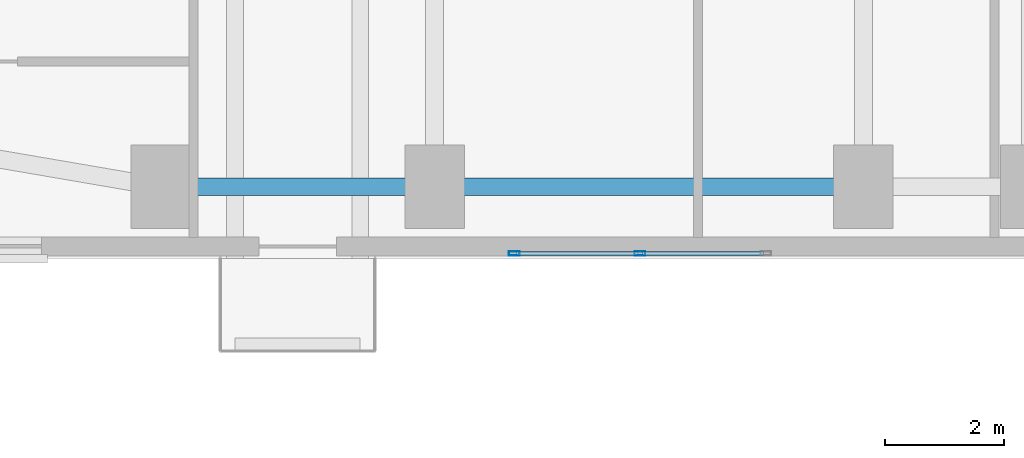
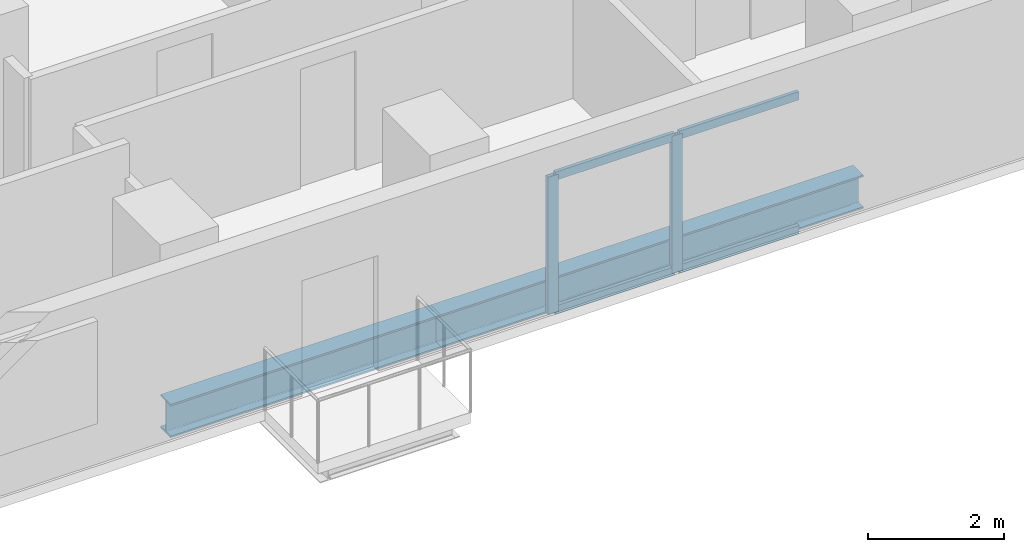
# One storey, part 4 of 14: 6 members, 2 beams, 1 element without a shape of its own.
"""IFC4 building model written with IfcOpenShell, lengths in metres."""

from ifc_helpers import new_model, si_unit, direction, frame, origin, origin_2d, place, context, subcontext, project, spatial, hollow_rectangle, i_section, extrude, material, material_profile, profile_set, type_object, element, aggregate, save


model = new_model("IFC4")

# Units and contexts
model_context = context("Model", 3, precision=1e-05, world=origin(), true_north=direction((0.0, 1.0)))
body_context = subcontext(model_context, "Body", "Model", "MODEL_VIEW")
ifc_project = project(units=[si_unit("LENGTHUNIT", "METRE"), si_unit("AREAUNIT", "SQUARE_METRE"), si_unit("VOLUMEUNIT", "CUBIC_METRE"), si_unit("PLANEANGLEUNIT", "RADIAN"), si_unit("MASSUNIT", "GRAM", prefix="KILO")], contexts=[model_context])

# Site, building, storey
site_placement = place(None, origin())
site = spatial("IfcSite", under=ifc_project, at=site_placement, CompositionType="ELEMENT")
building_placement = place(site_placement, origin())
building = spatial("IfcBuilding", under=site, at=building_placement, Name="Kuzgunbayir Cultural Tower", CompositionType="ELEMENT")
storey_placement = place(building_placement, frame((0.0, 0.0, 62.800048828125)))
storey = spatial("IfcBuildingStorey", under=building, at=storey_placement, Name="L17", CompositionType="ELEMENT", Elevation=62.800048828125)

# Beams
ifc_material_1 = material(Name="Steel S355J2", Category="steel")
ifc_material_profile_1 = material_profile(ifc_material_1, i_section(OverallWidth=0.300048828125, OverallDepth=0.60009765625, WebThickness=0.015380859375, FlangeThickness=0.030029296875, FilletRadius=0.027099609375, at=origin_2d()), Name="HEB 600")
ifc_profile_set_1 = profile_set([ifc_material_profile_1], Name="Steel S355J2")
beam_type = type_object("IfcBeamType", Name="BM-EXT-HEB600", PredefinedType="BEAM", material=ifc_profile_set_1)
beam_1_placement = place(storey_placement, frame((26.60009765625, 27.60009765625, -0.47998046875), z_axis=(1.0, 0.0, 0.0), x_axis=(0.0, 1.0, 0.0)))
element("IfcBeam", 1, at=beam_1_placement, inside=storey, type_object=beam_type, Name="L17 Wing B South Girder 1", PredefinedType="BEAM", context=body_context, shape_type="SweptSolid", body=[
    extrude(i_section(OverallWidth=0.300048828125, OverallDepth=0.60009765625, WebThickness=0.015380859375, FlangeThickness=0.030029296875, FilletRadius=0.027099609375, at=origin_2d()), origin(), (0.0, 0.0, 1.0), 4.599853515625),
])
beam_2_placement = place(storey_placement, frame((31.199951171875, 27.60009765625, -0.47998046875), z_axis=(1.0, 0.0, 0.0), x_axis=(0.0, 1.0, 0.0)))
element("IfcBeam", 2, at=beam_2_placement, inside=storey, type_object=beam_type, Name="L17 Wing B South Girder 2", PredefinedType="BEAM", context=body_context, shape_type="SweptSolid", body=[
    extrude(i_section(OverallWidth=0.300048828125, OverallDepth=0.60009765625, WebThickness=0.015380859375, FlangeThickness=0.030029296875, FilletRadius=0.027099609375, at=origin_2d()), origin(), (0.0, 0.0, 1.0), 7.199951171875),
])

# Curtain wall, members
ifc_material_2 = material(Name="Anodised Aluminium Framing", Category="aluminium")
curtain_wall_type = type_object("IfcCurtainWallType", Name="CW03-T1-OFFICE", PredefinedType="NOTDEFINED", material=ifc_material_2)
curtain_wall_placement = place(storey_placement, origin())
curtain_wall = element("IfcCurtainWall", 3, at=curtain_wall_placement, inside=storey, type_object=curtain_wall_type, Name="L17 Wing B South Feature Curtain Wall", PredefinedType="NOTDEFINED")
ifc_material_profile_2 = material_profile(ifc_material_2, hollow_rectangle(XDim=0.074951171875, YDim=0.179931640625, WallThickness=0.0048828125, at=origin_2d()), Name="RHS 180x75x5")
ifc_profile_set_2 = profile_set([ifc_material_profile_2], Name="Anodised Aluminium Framing")
member_type_1 = type_object("IfcMemberType", Name="MEM-CW-MULLION-180", PredefinedType="MULLION", material=ifc_profile_set_2)
member_1_placement = place(storey_placement, frame((32.53759765625, 26.47998046875, 0.0), z_axis=(0.0, 0.0, 1.0), x_axis=(0.0, 1.0, 0.0)))
member_1 = element("IfcMember", 4, at=member_1_placement, type_object=member_type_1, Name="CW03 mullion 1", PredefinedType="MULLION", context=body_context, shape_type="SweptSolid", body=[
    extrude(hollow_rectangle(XDim=0.074951171875, YDim=0.179931640625, WallThickness=0.0048828125, at=origin_2d()), origin(), (0.0, 0.0, 1.0), 2.469970703125),
])
member_2_placement = place(storey_placement, frame((34.64990234375, 26.47998046875, 0.0), z_axis=(0.0, 0.0, 1.0), x_axis=(0.0, 1.0, 0.0)))
member_2 = element("IfcMember", 5, at=member_2_placement, type_object=member_type_1, Name="CW03 mullion 2", PredefinedType="MULLION", context=body_context, shape_type="SweptSolid", body=[
    extrude(hollow_rectangle(XDim=0.074951171875, YDim=0.179931640625, WallThickness=0.0048828125, at=origin_2d()), origin(), (0.0, 0.0, 1.0), 2.469970703125),
])
ifc_material_profile_3 = material_profile(ifc_material_2, hollow_rectangle(XDim=0.06005859375, YDim=0.14990234375, WallThickness=0.00390625, at=origin_2d()), Name="RHS 150x60x4")
ifc_profile_set_3 = profile_set([ifc_material_profile_3], Name="Anodised Aluminium Framing")
member_type_2 = type_object("IfcMemberType", Name="MEM-CW-TRANSOM-150", PredefinedType="USERDEFINED", material=ifc_profile_set_3)
member_3_placement = place(storey_placement, frame((32.574951171875, 26.47998046875, 0.030029296875), z_axis=(1.0, 0.0, 0.0), x_axis=(0.0, 1.0, 0.0)))
member_3 = element("IfcMember", 6, at=member_3_placement, type_object=member_type_2, Name="CW03 transom 1.1", ObjectType="TRANSOM", PredefinedType="USERDEFINED", context=body_context, shape_type="SweptSolid", body=[
    extrude(hollow_rectangle(XDim=0.06005859375, YDim=0.14990234375, WallThickness=0.00390625, at=origin_2d()), origin(), (0.0, 0.0, 1.0), 2.03759765625),
])
member_4_placement = place(storey_placement, frame((32.574951171875, 26.47998046875, 2.43994140625), z_axis=(1.0, 0.0, 0.0), x_axis=(0.0, 1.0, 0.0)))
member_4 = element("IfcMember", 7, at=member_4_placement, type_object=member_type_2, Name="CW03 transom 1.2", ObjectType="TRANSOM", PredefinedType="USERDEFINED", context=body_context, shape_type="SweptSolid", body=[
    extrude(hollow_rectangle(XDim=0.06005859375, YDim=0.14990234375, WallThickness=0.00390625, at=origin_2d()), origin(), (0.0, 0.0, 1.0), 2.03759765625),
])
member_5_placement = place(storey_placement, frame((34.6875, 26.47998046875, 0.030029296875), z_axis=(1.0, 0.0, 0.0), x_axis=(0.0, 1.0, 0.0)))
member_5 = element("IfcMember", 8, at=member_5_placement, type_object=member_type_2, Name="CW03 transom 2.1", ObjectType="TRANSOM", PredefinedType="USERDEFINED", context=body_context, shape_type="SweptSolid", body=[
    extrude(hollow_rectangle(XDim=0.06005859375, YDim=0.14990234375, WallThickness=0.00390625, at=origin_2d()), origin(), (0.0, 0.0, 1.0), 2.03759765625),
])
member_6_placement = place(storey_placement, frame((34.6875, 26.47998046875, 2.43994140625), z_axis=(1.0, 0.0, 0.0), x_axis=(0.0, 1.0, 0.0)))
member_6 = element("IfcMember", 9, at=member_6_placement, type_object=member_type_2, Name="CW03 transom 2.2", ObjectType="TRANSOM", PredefinedType="USERDEFINED", context=body_context, shape_type="SweptSolid", body=[
    extrude(hollow_rectangle(XDim=0.06005859375, YDim=0.14990234375, WallThickness=0.00390625, at=origin_2d()), origin(), (0.0, 0.0, 1.0), 2.03759765625),
])
aggregate(curtain_wall, [member_1, member_2, member_3, member_4, member_5, member_6])

save(model, "model.ifc")
